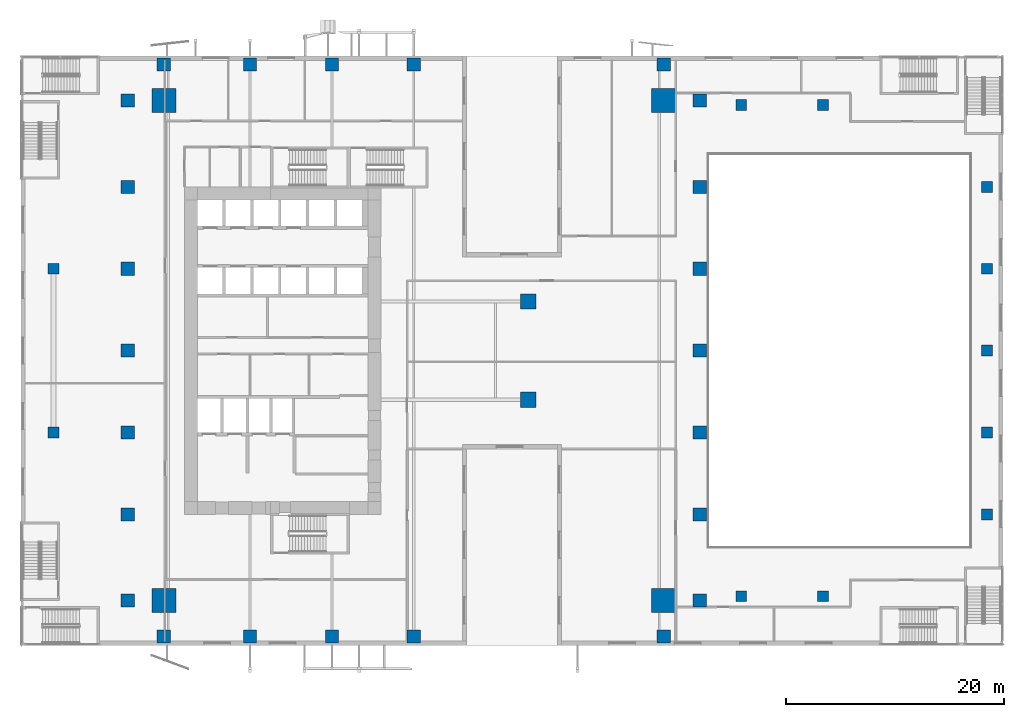
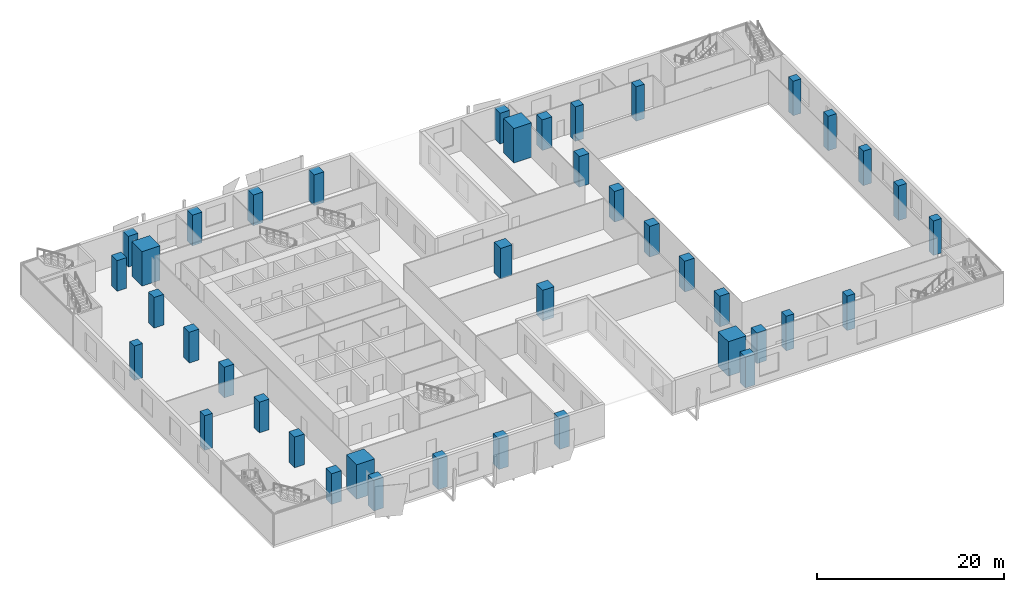
# One storey, part 1 of 21: 41 columns.
"""IFC4 building model written with IfcOpenShell, lengths in metres."""

from ifc_helpers import new_model, si_unit, direction, frame, origin, origin_2d, place, context, subcontext, project, spatial, rectangle, extrude, source, transform, mapped, material, material_profile, profile_set, type_object, element, save


model = new_model("IFC4")

# Units and contexts
model_context = context("Model", 3, precision=1e-05, world=origin(), true_north=direction((0.0, 1.0)))
body_context = subcontext(model_context, "Body", "Model", "MODEL_VIEW")
ifc_project = project(units=[si_unit("LENGTHUNIT", "METRE"), si_unit("AREAUNIT", "SQUARE_METRE"), si_unit("VOLUMEUNIT", "CUBIC_METRE"), si_unit("PLANEANGLEUNIT", "RADIAN"), si_unit("MASSUNIT", "GRAM", prefix="KILO")], contexts=[model_context])

# Site, building, storey
site_placement = place(None, origin())
site = spatial("IfcSite", under=ifc_project, at=site_placement, CompositionType="ELEMENT")
building_placement = place(site_placement, origin())
building = spatial("IfcBuilding", under=site, at=building_placement, Name="Khomas Fold Tower", CompositionType="ELEMENT")
storey_placement = place(building_placement, frame((0.0, 0.0, 28.5)))
storey = spatial("IfcBuildingStorey", under=building, at=storey_placement, Name="L05", CompositionType="ELEMENT", Elevation=28.5)

# Columns
ifc_material_1 = material(Name="Concrete C70/85", Category="concrete")
ifc_material_profile_1 = material_profile(ifc_material_1, rectangle(XDim=2.199951171875, YDim=2.199951171875, at=origin_2d()), Name="RC 2200x2200")
ifc_profile_set_1 = profile_set([ifc_material_profile_1], Name="Concrete C70/85")
column_type_1 = type_object("IfcColumnType", Name="RC 2200x2200 column", PredefinedType="COLUMN", material=ifc_profile_set_1)
shared_shape_1 = source(origin(), body_context, "Body", "SweptSolid", [
    extrude(rectangle(XDim=2.199951171875, YDim=2.199951171875, at=origin_2d()), origin(), (0.0, 0.0, 1.0), 4.5),
])
for number, where, z_axis, x_axis, name in (
    (1, (49.89990234375, 49.89990234375, 0.0), (0.0, 0.0, 1.0), (1.0, 0.0, 0.0), "CM-NE"),
    (2, (4.10009765625, 49.89990234375, 0.0), (0.0, 0.0, 1.0), (1.0, 0.0, 0.0), "CM-NW"),
    (3, (49.89990234375, 4.10009765625, 0.0), (0.0, 0.0, 1.0), (1.0, 0.0, 0.0), "CM-SE"),
    (4, (4.10009765625, 4.10009765625, 0.0), (0.0, 0.0, 1.0), (1.0, 0.0, 0.0), "CM-SW"),
):
    element("IfcColumn", number, at=place(storey_placement, frame(where, z_axis=z_axis, x_axis=x_axis)), inside=storey, type_object=column_type_1, Name=name, PredefinedType="COLUMN", context=body_context, shape_type="MappedRepresentation", body=[
        mapped(shared_shape_1, transform((0.0, 0.0, 0.0))),
    ])
ifc_material_2 = material(Name="Concrete C60/75", Category="concrete")
ifc_material_profile_2 = material_profile(ifc_material_2, rectangle(XDim=1.199951171875, YDim=1.199951171875, at=origin_2d()), Name="RC 1200x1200")
ifc_profile_set_2 = profile_set([ifc_material_profile_2], Name="Concrete C60/75")
column_type_2 = type_object("IfcColumnType", Name="RC 1200x1200 column", PredefinedType="COLUMN", material=ifc_profile_set_2)
shared_shape_2 = source(origin(), body_context, "Body", "SweptSolid", [
    extrude(rectangle(XDim=1.199951171875, YDim=1.199951171875, at=origin_2d()), origin(), (0.0, 0.0, 1.0), 4.0),
])
for number, where, z_axis, x_axis, name in (
    (5, (4.10009765625, 0.800048828125, 0.0), (0.0, 0.0, 1.0), (1.0, 0.0, 0.0), "C-2-SF1"),
    (6, (12.0, 0.800048828125, 0.0), (0.0, 0.0, 1.0), (1.0, 0.0, 0.0), "C-6-SF1"),
    (7, (19.5, 0.800048828125, 0.0), (0.0, 0.0, 1.0), (1.0, 0.0, 0.0), "C-8-SF1"),
    (8, (27.0, 0.800048828125, 0.0), (0.0, 0.0, 1.0), (1.0, 0.0, 0.0), "C-9-SF1"),
    (9, (49.89990234375, 0.800048828125, 0.0), (0.0, 0.0, 1.0), (1.0, 0.0, 0.0), "C-17-SF1"),
    (10, (53.199951171875, 4.10009765625, 0.0), (0.0, 0.0, 1.0), (1.0, 0.0, 0.0), "C-E1-A"),
    (11, (53.199951171875, 12.0, 0.0), (0.0, 0.0, 1.0), (1.0, 0.0, 0.0), "C-E1-F"),
    (12, (53.199951171875, 19.5, 0.0), (0.0, 0.0, 1.0), (1.0, 0.0, 0.0), "C-E1-J"),
    (13, (53.199951171875, 27.0, 0.0), (0.0, 0.0, 1.0), (1.0, 0.0, 0.0), "C-E1-L"),
    (14, (53.199951171875, 34.5, 0.0), (0.0, 0.0, 1.0), (1.0, 0.0, 0.0), "C-E1-N"),
    (15, (53.199951171875, 42.0, 0.0), (0.0, 0.0, 1.0), (1.0, 0.0, 0.0), "C-E1-R"),
    (16, (53.199951171875, 49.89990234375, 0.0), (0.0, 0.0, 1.0), (1.0, 0.0, 0.0), "C-E1-W"),
    (17, (4.10009765625, 53.199951171875, 0.0), (0.0, 0.0, 1.0), (1.0, 0.0, 0.0), "C-2-NF1"),
    (18, (12.0, 53.199951171875, 0.0), (0.0, 0.0, 1.0), (1.0, 0.0, 0.0), "C-6-NF1"),
    (19, (19.5, 53.199951171875, 0.0), (0.0, 0.0, 1.0), (1.0, 0.0, 0.0), "C-8-NF1"),
    (20, (27.0, 53.199951171875, 0.0), (0.0, 0.0, 1.0), (1.0, 0.0, 0.0), "C-9-NF1"),
    (21, (49.89990234375, 53.199951171875, 0.0), (0.0, 0.0, 1.0), (1.0, 0.0, 0.0), "C-17-NF1"),
    (22, (0.800048828125, 4.10009765625, 0.0), (0.0, 0.0, 1.0), (1.0, 0.0, 0.0), "C-W1-A"),
    (23, (0.800048828125, 12.0, 0.0), (0.0, 0.0, 1.0), (1.0, 0.0, 0.0), "C-W1-F"),
    (24, (0.800048828125, 19.5, 0.0), (0.0, 0.0, 1.0), (1.0, 0.0, 0.0), "C-W1-J"),
    (25, (0.800048828125, 27.0, 0.0), (0.0, 0.0, 1.0), (1.0, 0.0, 0.0), "C-W1-L"),
    (26, (0.800048828125, 34.5, 0.0), (0.0, 0.0, 1.0), (1.0, 0.0, 0.0), "C-W1-N"),
    (27, (0.800048828125, 42.0, 0.0), (0.0, 0.0, 1.0), (1.0, 0.0, 0.0), "C-W1-R"),
    (28, (0.800048828125, 49.89990234375, 0.0), (0.0, 0.0, 1.0), (1.0, 0.0, 0.0), "C-W1-W"),
):
    element("IfcColumn", number, at=place(storey_placement, frame(where, z_axis=z_axis, x_axis=x_axis)), inside=storey, type_object=column_type_2, Name=name, PredefinedType="COLUMN", context=body_context, shape_type="MappedRepresentation", body=[
        mapped(shared_shape_2, transform((0.0, 0.0, 0.0))),
    ])
ifc_material_3 = material(Name="Concrete C60/75", Category="concrete")
ifc_material_profile_3 = material_profile(ifc_material_3, rectangle(XDim=1.39990234375, YDim=1.39990234375, at=origin_2d()), Name="RC 1400x1400")
ifc_profile_set_3 = profile_set([ifc_material_profile_3], Name="Concrete C60/75")
column_type_3 = type_object("IfcColumnType", Name="RC 1400x1400 column", PredefinedType="COLUMN", material=ifc_profile_set_3)
shared_shape_3 = source(origin(), body_context, "Body", "SweptSolid", [
    extrude(rectangle(XDim=1.39990234375, YDim=1.39990234375, at=origin_2d()), origin(), (0.0, 0.0, 1.0), 4.0),
])
for number, where, z_axis, x_axis, name in (
    (29, (37.5, 22.5, 0.0), (0.0, 0.0, 1.0), (1.0, 0.0, 0.0), "C-11-K"),
    (30, (37.5, 31.5, 0.0), (0.0, 0.0, 1.0), (1.0, 0.0, 0.0), "C-11-M"),
):
    element("IfcColumn", number, at=place(storey_placement, frame(where, z_axis=z_axis, x_axis=x_axis)), inside=storey, type_object=column_type_3, Name=name, PredefinedType="COLUMN", context=body_context, shape_type="MappedRepresentation", body=[
        mapped(shared_shape_3, transform((0.0, 0.0, 0.0))),
    ])
ifc_material_4 = material(Name="Concrete C50/60", Category="concrete")
ifc_material_profile_4 = material_profile(ifc_material_4, rectangle(XDim=1.0, YDim=1.0, at=origin_2d()), Name="RC 1000x1000")
ifc_profile_set_4 = profile_set([ifc_material_profile_4], Name="Concrete C50/60")
column_type_4 = type_object("IfcColumnType", Name="RC 1000x1000 column", PredefinedType="COLUMN", material=ifc_profile_set_4)
shared_shape_4 = source(origin(), body_context, "Body", "SweptSolid", [
    extrude(rectangle(XDim=1.0, YDim=1.0, at=origin_2d()), origin(), (0.0, 0.0, 1.0), 4.5),
])
for number, where, z_axis, x_axis, name in (
    (31, (-6.0, 19.5, 0.0), (0.0, 0.0, 1.0), (1.0, 0.0, 0.0), "C-1-J"),
    (32, (-6.0, 34.5, 0.0), (0.0, 0.0, 1.0), (1.0, 0.0, 0.0), "C-1-N"),
    (33, (57.0, 4.5, 0.0), (0.0, 0.0, 1.0), (1.0, 0.0, 0.0), "C-18-B"),
    (34, (57.0, 49.5, 0.0), (0.0, 0.0, 1.0), (1.0, 0.0, 0.0), "C-18-V"),
    (35, (64.5, 4.5, 0.0), (0.0, 0.0, 1.0), (1.0, 0.0, 0.0), "C-19-B"),
    (36, (64.5, 49.5, 0.0), (0.0, 0.0, 1.0), (1.0, 0.0, 0.0), "C-19-V"),
    (37, (79.5, 12.0, 0.0), (0.0, 0.0, 1.0), (1.0, 0.0, 0.0), "C-20-F"),
    (38, (79.5, 19.5, 0.0), (0.0, 0.0, 1.0), (1.0, 0.0, 0.0), "C-20-J"),
    (39, (79.5, 27.0, 0.0), (0.0, 0.0, 1.0), (1.0, 0.0, 0.0), "C-20-L"),
    (40, (79.5, 34.5, 0.0), (0.0, 0.0, 1.0), (1.0, 0.0, 0.0), "C-20-N"),
    (41, (79.5, 42.0, 0.0), (0.0, 0.0, 1.0), (1.0, 0.0, 0.0), "C-20-R"),
):
    element("IfcColumn", number, at=place(storey_placement, frame(where, z_axis=z_axis, x_axis=x_axis)), inside=storey, type_object=column_type_4, Name=name, PredefinedType="COLUMN", context=body_context, shape_type="MappedRepresentation", body=[
        mapped(shared_shape_4, transform((0.0, 0.0, 0.0))),
    ])

save(model, "model.ifc")
